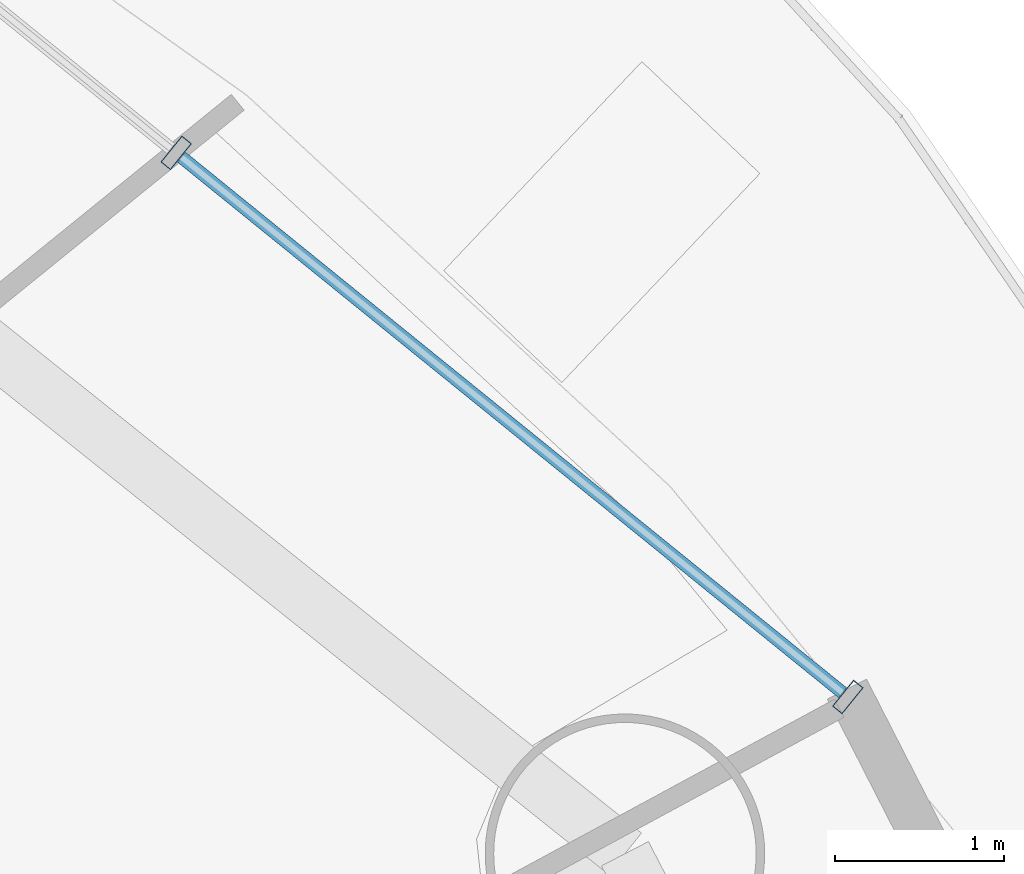
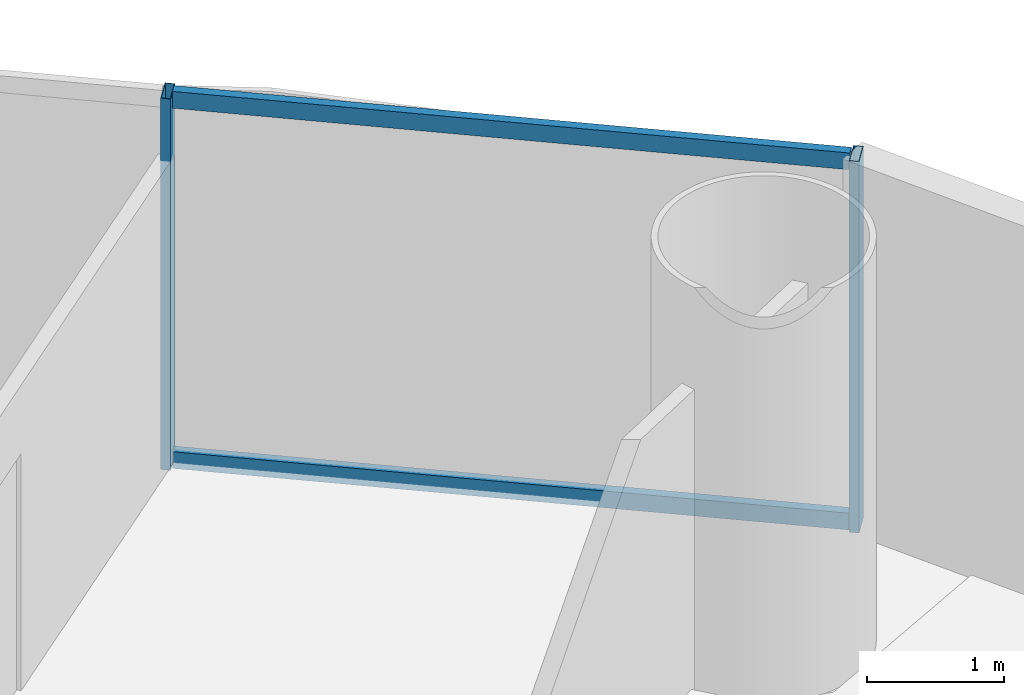
# One storey, part 21 of 30: 4 members, 1 element without a shape of its own.
"""IFC4 building model written with IfcOpenShell, lengths in metres."""

from ifc_helpers import new_model, si_unit, direction, frame, origin, origin_2d, place, context, subcontext, project, spatial, hollow_rectangle, extrude, source, transform, mapped, material, material_profile, profile_set, type_object, element, aggregate, save


model = new_model("IFC4")

# Units and contexts
model_context = context("Model", 3, precision=1e-05, world=origin(), true_north=direction((-0.2419218956, 0.970295726276)))
body_context = subcontext(model_context, "Body", "Model", "MODEL_VIEW")
ifc_project = project(units=[si_unit("LENGTHUNIT", "METRE"), si_unit("AREAUNIT", "SQUARE_METRE"), si_unit("VOLUMEUNIT", "CUBIC_METRE"), si_unit("PLANEANGLEUNIT", "RADIAN"), si_unit("MASSUNIT", "GRAM", prefix="KILO")], contexts=[model_context])

# Site, building, storey
site_placement = place(None, origin())
site = spatial("IfcSite", under=ifc_project, at=site_placement, CompositionType="ELEMENT")
building_placement = place(site_placement, origin())
building = spatial("IfcBuilding", under=site, at=building_placement, Name="Cobrevalo Terracotta Tower", CompositionType="ELEMENT")
storey_placement = place(building_placement, frame((0.0, 0.0, 31.199951171875)))
storey = spatial("IfcBuildingStorey", under=building, at=storey_placement, Name="L07", CompositionType="ELEMENT", Elevation=31.199951171875)

# Curtain wall, members
ifc_material = material(Name="Anodized aluminium", Category="aluminium")
curtain_wall_type = type_object("IfcCurtainWallType", Name="Lower-tower unitised acoustic low-E curtain wall CW-U1", PredefinedType="NOTDEFINED", material=ifc_material)
curtain_wall_placement = place(storey_placement, origin())
curtain_wall = element("IfcCurtainWall", 1, at=curtain_wall_placement, inside=storey, type_object=curtain_wall_type, Name="L07 curtain wall CW-L07-S02", PredefinedType="NOTDEFINED")
ifc_material_profile_1 = material_profile(ifc_material, hollow_rectangle(XDim=0.074951171875, YDim=0.199951171875, WallThickness=0.0048828125, at=origin_2d()), Name="CWM 75x200")
ifc_profile_set_1 = profile_set([ifc_material_profile_1], Name="Anodized aluminium")
member_type_1 = type_object("IfcMemberType", Name="Lower/mid tower unitised mullion 75x200", PredefinedType="MULLION", material=ifc_profile_set_1)
shared_shape_1 = source(origin(), body_context, "Body", "SweptSolid", [
    extrude(hollow_rectangle(XDim=0.074951171875, YDim=0.199951171875, WallThickness=0.0048828125, at=origin_2d()), origin(), (0.0, 0.0, 1.0), 3.320068359375),
])
member_1_placement = place(storey_placement, frame((62.056640625, 39.864501953125, 0.0), z_axis=(0.0, 0.0, 1.0), x_axis=(-0.777003153187, 0.629496703675, 0.0)))
member_1 = element("IfcMember", 2, at=member_1_placement, type_object=member_type_1, Name="CW-L07-S02 vertical mullion 01", PredefinedType="MULLION", context=body_context, shape_type="MappedRepresentation", body=[
    mapped(shared_shape_1, transform((0.0, 0.0, 0.0), scale=1.0)),
])
member_2_placement = place(storey_placement, frame((58.09130859375, 43.076904296875, 0.0), z_axis=(0.0, 0.0, 1.0), x_axis=(-0.777003153187, 0.629496703675, 0.0)))
member_2 = element("IfcMember", 3, at=member_2_placement, type_object=member_type_1, Name="CW-L07-S02 vertical mullion 02", PredefinedType="MULLION", context=body_context, shape_type="MappedRepresentation", body=[
    mapped(shared_shape_1, transform((0.0, 0.0, 0.0), scale=1.0)),
])
ifc_material_profile_2 = material_profile(ifc_material, hollow_rectangle(XDim=0.074951171875, YDim=0.14990234375, WallThickness=0.00439453125, at=origin_2d()), Name="CWT 75x150")
ifc_profile_set_2 = profile_set([ifc_material_profile_2], Name="Anodized aluminium")
member_type_2 = type_object("IfcMemberType", Name="Tower unitised aluminium transom 75x150", PredefinedType="USERDEFINED", material=ifc_profile_set_2)
shared_shape_2 = source(origin(), body_context, "Body", "SweptSolid", [
    extrude(hollow_rectangle(XDim=0.074951171875, YDim=0.14990234375, WallThickness=0.00439453125, at=origin_2d()), origin(), (0.0, 0.0, 1.0), 5.0234375),
])
member_3_placement = place(storey_placement, frame((62.025634765625, 39.8896484375, 0.050048828125), z_axis=(-0.777022991593, 0.629472215857, 0.0), x_axis=(-0.629472215857, -0.777022991593, 0.0)))
member_3 = element("IfcMember", 4, at=member_3_placement, type_object=member_type_2, Name="CW-L07-S02 transom B01-T1", ObjectType="TRANSOM", PredefinedType="USERDEFINED", context=body_context, shape_type="MappedRepresentation", body=[
    mapped(shared_shape_2, transform((0.0, 0.0, 0.0), scale=1.0)),
])
member_4_placement = place(storey_placement, frame((62.025634765625, 39.8896484375, 3.27001953125), z_axis=(-0.777022991593, 0.629472215857, 0.0), x_axis=(-0.629472215857, -0.777022991593, 0.0)))
member_4 = element("IfcMember", 5, at=member_4_placement, type_object=member_type_2, Name="CW-L07-S02 transom B01-T2", ObjectType="TRANSOM", PredefinedType="USERDEFINED", context=body_context, shape_type="MappedRepresentation", body=[
    mapped(shared_shape_2, transform((0.0, 0.0, 0.0), scale=1.0)),
])
aggregate(curtain_wall, [member_1, member_2, member_3, member_4])

save(model, "model.ifc")
